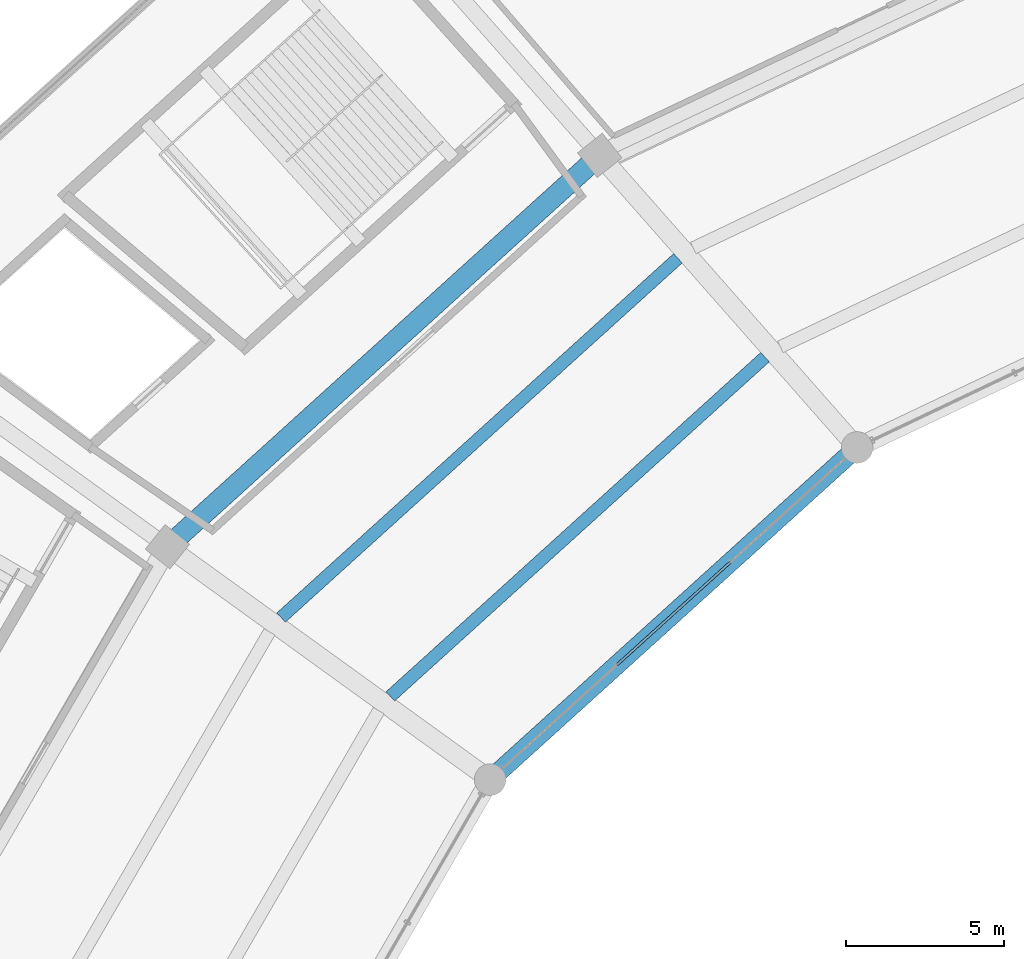
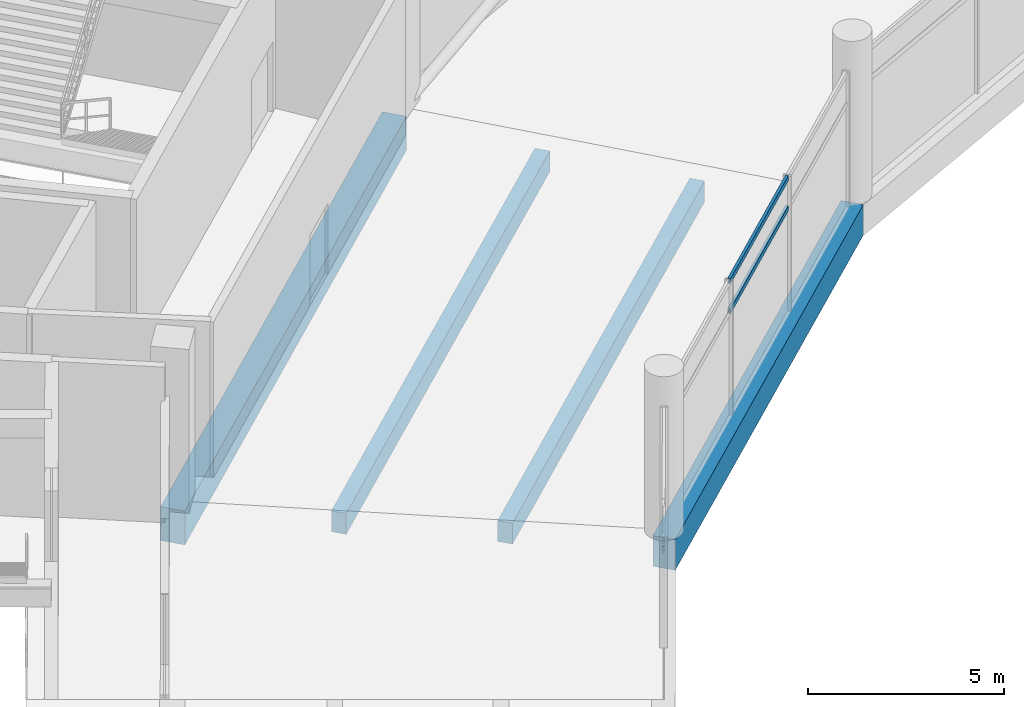
# One storey, part 97 of 184: 4 beams, 2 members, 1 element without a shape of its own.
"""IFC4 building model written with IfcOpenShell, lengths in metres."""

from ifc_helpers import new_model, si_unit, direction, frame, origin, origin_2d, place, context, subcontext, project, spatial, rectangle, hollow_rectangle, extrude, material, layer, layer_set, material_profile, profile_set, type_object, element, aggregate, save


model = new_model("IFC4")

# Units and contexts
model_context = context("Model", 3, precision=1e-05, world=origin(), true_north=direction((0.0, 1.0)))
body_context = subcontext(model_context, "Body", "Model", "MODEL_VIEW")
ifc_project = project(units=[si_unit("LENGTHUNIT", "METRE"), si_unit("AREAUNIT", "SQUARE_METRE"), si_unit("VOLUMEUNIT", "CUBIC_METRE"), si_unit("PLANEANGLEUNIT", "RADIAN"), si_unit("MASSUNIT", "GRAM", prefix="KILO")], contexts=[model_context])

# Site, building, storey
site_placement = place(None, origin())
site = spatial("IfcSite", under=ifc_project, at=site_placement, CompositionType="ELEMENT")
building_placement = place(site_placement, origin())
building = spatial("IfcBuilding", under=site, at=building_placement, Name="Kazemori Nagisa Stadium", CompositionType="ELEMENT")
storey_placement = place(building_placement, frame((0.0, 0.0, 10.5400390625)))
storey = spatial("IfcBuildingStorey", under=building, at=storey_placement, Name="L02", CompositionType="ELEMENT", Elevation=10.5400390625)

# Beams
ifc_material_1 = material(Name="Concrete C40/50 (Fc42)", Category="concrete")
ifc_material_profile_1 = material_profile(ifc_material_1, rectangle(XDim=0.60009765625, YDim=0.949951171875, at=origin_2d()), Name="RC-BM-600x950")
ifc_profile_set_1 = profile_set([ifc_material_profile_1], Name="Concrete C40/50 (Fc42)")
beam_type_1 = type_object("IfcBeamType", Name="Beam_BG-RC600X950", PredefinedType="BEAM", material=ifc_profile_set_1)
beam_1_placement = place(storey_placement, frame((77.303466796875, 153.873046875, -0.735107421875), z_axis=(-0.741349160152, -0.6711195294, 0.0), x_axis=(0.6711195294, -0.741349160152, 0.0)))
element("IfcBeam", 1, at=beam_1_placement, inside=storey, type_object=beam_type_1, Name="Ring girder BG-RC600X950 L02 R1-11", PredefinedType="BEAM", context=body_context, shape_type="SweptSolid", body=[
    extrude(rectangle(XDim=0.60009765625, YDim=0.949951171875, at=origin_2d()), origin(), (0.0, 0.0, 1.0), 15.65380859375),
])
ifc_material_profile_2 = material_profile(ifc_material_1, rectangle(XDim=0.64990234375, YDim=1.050048828125, at=origin_2d()), Name="RC-BM-650x1050")
ifc_profile_set_2 = profile_set([ifc_material_profile_2], Name="Concrete C40/50 (Fc42)")
beam_type_2 = type_object("IfcBeamType", Name="Beam_BG-RC650X1050", PredefinedType="BEAM", material=ifc_profile_set_2)
beam_2_placement = place(storey_placement, frame((69.165771484375, 163.11083984375, -0.78515625), z_axis=(-0.741349142139, -0.671119549298, 0.0), x_axis=(0.671119549298, -0.741349142139, 0.0)))
element("IfcBeam", 2, at=beam_2_placement, inside=storey, type_object=beam_type_2, Name="Ring girder BG-RC650X1050 L02 R2-11", PredefinedType="BEAM", context=body_context, shape_type="SweptSolid", body=[
    extrude(rectangle(XDim=0.64990234375, YDim=1.050048828125, at=origin_2d()), origin(), (0.0, 0.0, 1.0), 18.44189453125),
])
ifc_material_profile_3 = material_profile(ifc_material_1, rectangle(XDim=0.39990234375, YDim=0.64990234375, at=origin_2d()), Name="RC-BM-400x650")
ifc_profile_set_3 = profile_set([ifc_material_profile_3], Name="Concrete C40/50 (Fc42)")
beam_type_3 = type_object("IfcBeamType", Name="Beam_BJ-RC400X650", PredefinedType="JOIST", material=ifc_profile_set_3)
beam_3_placement = place(storey_placement, frame((74.39306640625, 156.730712890625, -0.5849609375), z_axis=(-0.741344716793, -0.671124437704, 0.0), x_axis=(0.671124437704, -0.741344716793, 0.0)))
element("IfcBeam", 3, at=beam_3_placement, inside=storey, type_object=beam_type_3, Name="Concourse joist BJ-RC400X650 L02 B11-1", PredefinedType="JOIST", context=body_context, shape_type="SweptSolid", body=[
    extrude(rectangle(XDim=0.39990234375, YDim=0.64990234375, at=origin_2d()), origin(), (0.0, 0.0, 1.0), 15.986328125),
])
beam_4_placement = place(storey_placement, frame((71.638671875, 159.857177734375, -0.5849609375), z_axis=(-0.741349213887, -0.671119470041, 0.0), x_axis=(0.671119470041, -0.741349213887, 0.0)))
element("IfcBeam", 4, at=beam_4_placement, inside=storey, type_object=beam_type_3, Name="Concourse joist BJ-RC400X650 L02 B11-2", PredefinedType="JOIST", context=body_context, shape_type="SweptSolid", body=[
    extrude(rectangle(XDim=0.39990234375, YDim=0.64990234375, at=origin_2d()), origin(), (0.0, 0.0, 1.0), 16.9296875),
])

# Curtain wall, members
ifc_material_2 = material(Name="Anodised aluminium 6063-T5", Category="aluminium")
ifc_layer = layer(ifc_material_2, 0.2099609375, Name="Anodised aluminium 6063-T5", Category="aluminium")
ifc_layer_set = layer_set([ifc_layer], Name="Anodised aluminium 6063-T5")
curtain_wall_type = type_object("IfcCurtainWallType", Name="CW_L02B_73", PredefinedType="USERDEFINED", material=ifc_layer_set)
curtain_wall_placement = place(storey_placement, origin())
curtain_wall = element("IfcCurtainWall", 5, at=curtain_wall_placement, inside=storey, type_object=curtain_wall_type, Name="Unitised curtain wall CW-L02B-73 L02", ObjectType="UNITISED CURTAIN WALL", PredefinedType="USERDEFINED")
ifc_material_3 = material(Name="Aluminium 6063-T5 anodised", Category="aluminium")
ifc_material_profile_4 = material_profile(ifc_material_3, hollow_rectangle(XDim=0.080078125, YDim=0.159912109375, WallThickness=0.00390625, at=origin_2d()), Name="ALU-TRAN-80x160x4")
ifc_profile_set_4 = profile_set([ifc_material_profile_4], Name="Aluminium 6063-T5 anodised")
member_type = type_object("IfcMemberType", Name="Transom_T02", PredefinedType="USERDEFINED", material=ifc_profile_set_4)
member_1_placement = place(storey_placement, frame((73.2880859375, 150.238037109375, 3.184326171875), z_axis=(-0.741352201466, -0.671116169811, 0.0), x_axis=(0.671116169811, -0.741352201466, 0.0)))
member_1 = element("IfcMember", 6, at=member_1_placement, type_object=member_type, Name="Curtain wall transom CW-L02B-73-T2-mid", ObjectType="TRANSOM", PredefinedType="USERDEFINED", context=body_context, shape_type="SweptSolid", body=[
    extrude(hollow_rectangle(XDim=0.080078125, YDim=0.159912109375, WallThickness=0.00390625, at=origin_2d()), origin(), (0.0, 0.0, 1.0), 4.8212890625),
])
member_2_placement = place(storey_placement, frame((73.2880859375, 150.238037109375, 4.119873046875), z_axis=(-0.741352201466, -0.671116169811, 0.0), x_axis=(0.671116169811, -0.741352201466, 0.0)))
member_2 = element("IfcMember", 7, at=member_2_placement, type_object=member_type, Name="Curtain wall transom CW-L02B-73-T2-head", ObjectType="TRANSOM", PredefinedType="USERDEFINED", context=body_context, shape_type="SweptSolid", body=[
    extrude(hollow_rectangle(XDim=0.080078125, YDim=0.159912109375, WallThickness=0.00390625, at=origin_2d()), origin(), (0.0, 0.0, 1.0), 4.8212890625),
])
aggregate(curtain_wall, [member_1, member_2])

save(model, "model.ifc")
